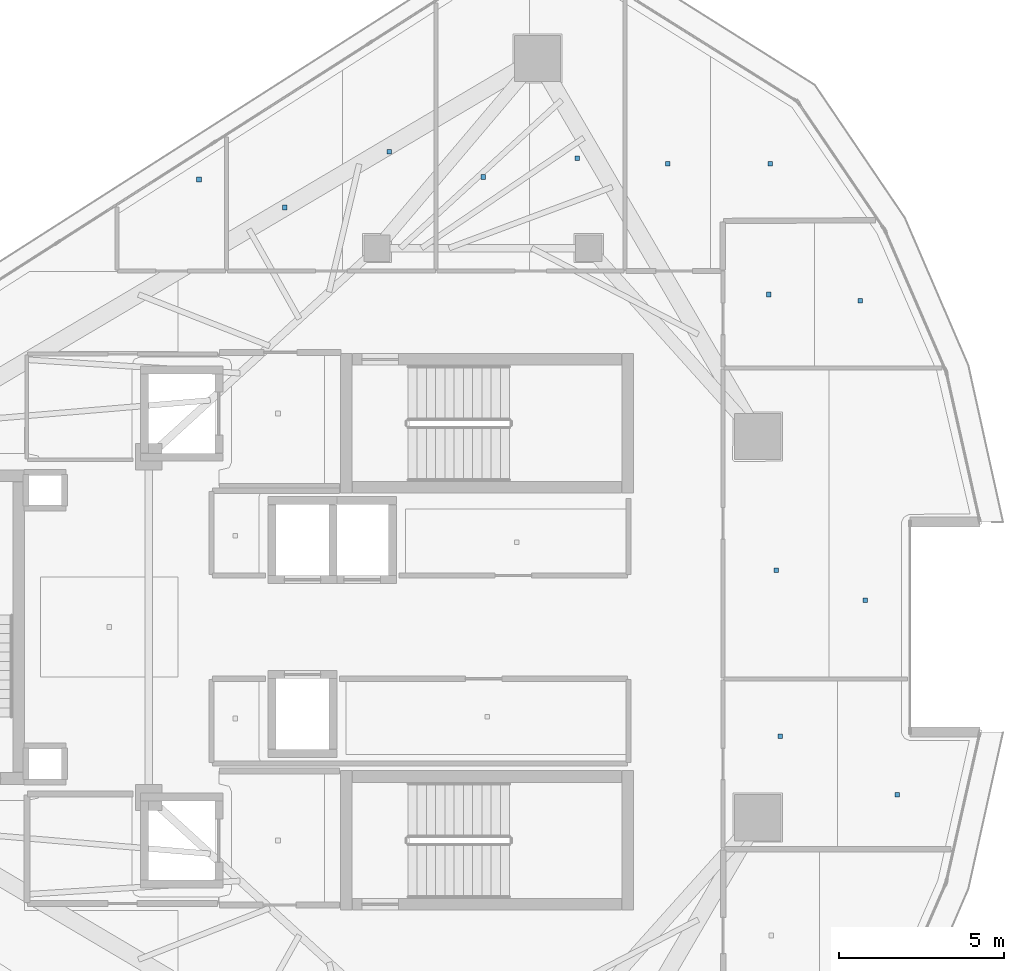
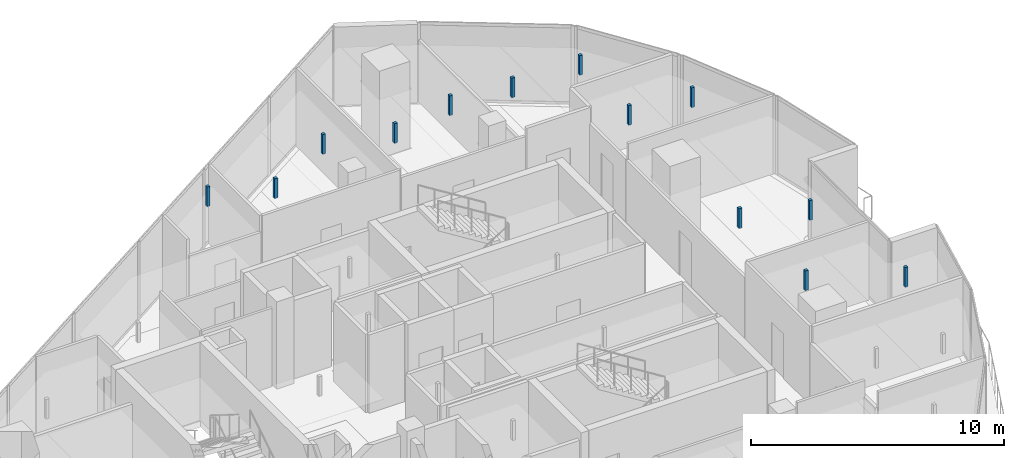
# One storey, part 21 of 26: 13 discrete accessories.
"""IFC4 building model written with IfcOpenShell, lengths in metres."""

from ifc_helpers import new_model, si_unit, direction, frame, origin, origin_2d, place, context, subcontext, project, spatial, rectangle, extrude, material, type_object, element, save


model = new_model("IFC4")

# Units and contexts
model_context = context("Model", 3, precision=1e-05, world=origin(), true_north=direction((0.0, 1.0)))
body_context = subcontext(model_context, "Body", "Model", "MODEL_VIEW")
ifc_project = project(units=[si_unit("LENGTHUNIT", "METRE"), si_unit("AREAUNIT", "SQUARE_METRE"), si_unit("VOLUMEUNIT", "CUBIC_METRE"), si_unit("PLANEANGLEUNIT", "RADIAN"), si_unit("MASSUNIT", "GRAM", prefix="KILO")], contexts=[model_context])

# Site, building, storey
site_placement = place(None, origin())
site = spatial("IfcSite", under=ifc_project, at=site_placement, CompositionType="ELEMENT")
building_placement = place(site_placement, origin())
building = spatial("IfcBuilding", under=site, at=building_placement, Name="Qorvath Tower", CompositionType="ELEMENT")
storey_placement = place(building_placement, frame((0.0, 0.0, 322.800048828125)))
storey = spatial("IfcBuildingStorey", under=building, at=storey_placement, Name="L75", CompositionType="ELEMENT", Elevation=322.800048828125)

# Discrete accessories
ifc_material = material(Name="Galvanised steel bracket", Category="steel")
discrete_accessory_type = type_object("IfcDiscreteAccessoryType", Name="DA-BRACKET", PredefinedType="BRACKET", material=ifc_material)
for number, where, z_axis, x_axis, name in (
    (1, (-28.978271484375, 13.521240234375, 2.85986328125), (0.0, 0.0, 1.0), (1.0, 0.0, 0.0), "Acoustic Ceiling Suspension Hanger T1-L75-012"),
    (2, (-26.385009765625, 12.67578125, 2.85986328125), (0.0, 0.0, 1.0), (1.0, 0.0, 0.0), "Acoustic Ceiling Suspension Hanger T1-L75-013"),
    (3, (-23.2275390625, 14.358642578125, 2.85986328125), (0.0, 0.0, 1.0), (1.0, 0.0, 0.0), "Acoustic Ceiling Suspension Hanger T1-L75-014"),
    (4, (-20.394287109375, 13.59814453125, 2.85986328125), (0.0, 0.0, 1.0), (1.0, 0.0, 0.0), "Acoustic Ceiling Suspension Hanger T1-L75-015"),
    (5, (-17.5498046875, 14.162841796875, 2.85986328125), (0.0, 0.0, 1.0), (1.0, 0.0, 0.0), "Acoustic Ceiling Suspension Hanger T1-L75-016"),
    (6, (-14.810546875, 14.0, 2.85986328125), (0.0, 0.0, 1.0), (1.0, 0.0, 0.0), "Acoustic Ceiling Suspension Hanger T1-L75-017"),
    (7, (-11.715576171875, 13.998291015625, 2.85986328125), (0.0, 0.0, 1.0), (1.0, 0.0, 0.0), "Acoustic Ceiling Suspension Hanger T1-L75-018"),
    (8, (-11.415283203125, -3.294189453125, 2.85986328125), (0.0, 0.0, 1.0), (1.0, 0.0, 0.0), "Acoustic Ceiling Suspension Hanger T1-L75-028"),
    (9, (-7.88232421875, -5.063232421875, 2.85986328125), (0.0, 0.0, 1.0), (1.0, 0.0, 0.0), "Acoustic Ceiling Suspension Hanger T1-L75-029"),
    (10, (-11.5390625, 1.721435546875, 2.85986328125), (0.0, 0.0, 1.0), (1.0, 0.0, 0.0), "Acoustic Ceiling Suspension Hanger T1-L75-030"),
    (11, (-8.84619140625, 0.80859375, 2.85986328125), (0.0, 0.0, 1.0), (1.0, 0.0, 0.0), "Acoustic Ceiling Suspension Hanger T1-L75-031"),
    (12, (-11.762451171875, 10.048828125, 2.85986328125), (0.0, 0.0, 1.0), (1.0, 0.0, 0.0), "Acoustic Ceiling Suspension Hanger T1-L75-032"),
    (13, (-9.0009765625, 9.86376953125, 2.85986328125), (0.0, 0.0, 1.0), (1.0, 0.0, 0.0), "Acoustic Ceiling Suspension Hanger T1-L75-033"),
):
    element("IfcDiscreteAccessory", number, at=place(storey_placement, frame(where, z_axis=z_axis, x_axis=x_axis)), inside=storey, type_object=discrete_accessory_type, Name=name, PredefinedType="NOTDEFINED", context=body_context, shape_type="SweptSolid", body=[
        extrude(rectangle(XDim=0.139892578125, YDim=0.139892578125, at=origin_2d()), origin(), (0.0, 0.0, 1.0), 0.9501953125),
    ])

save(model, "model.ifc")
